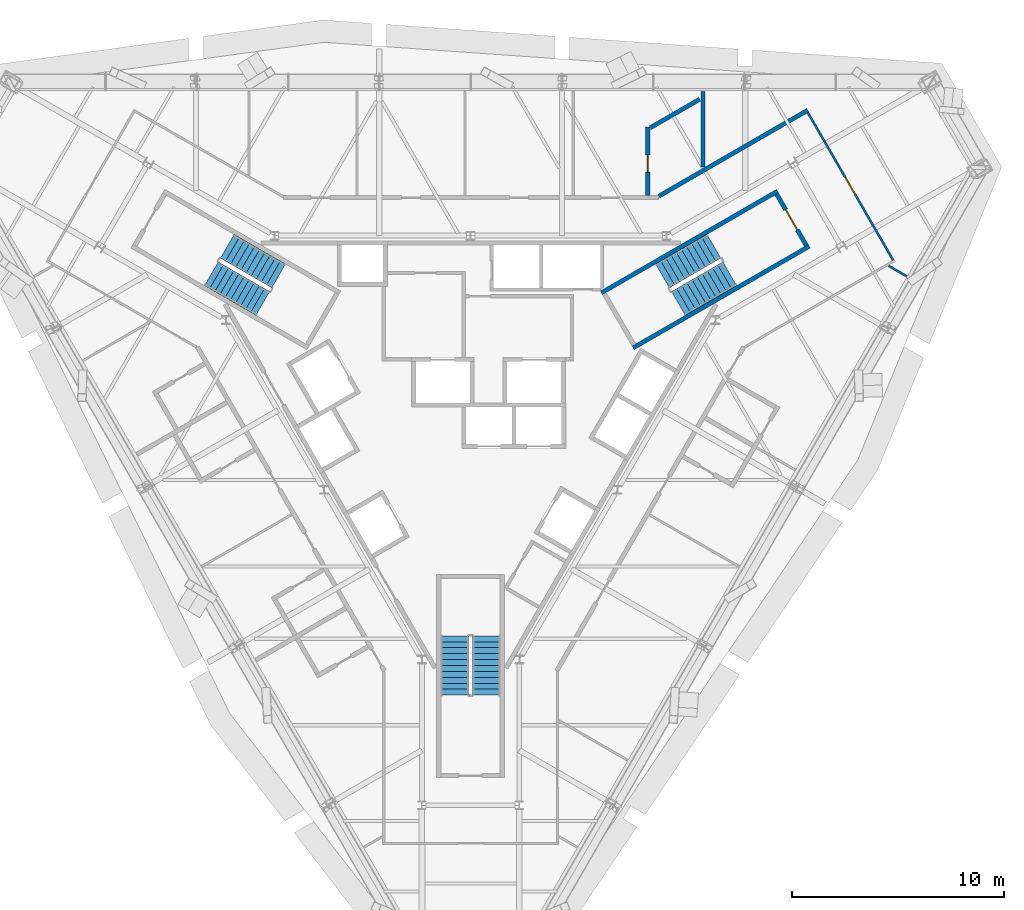
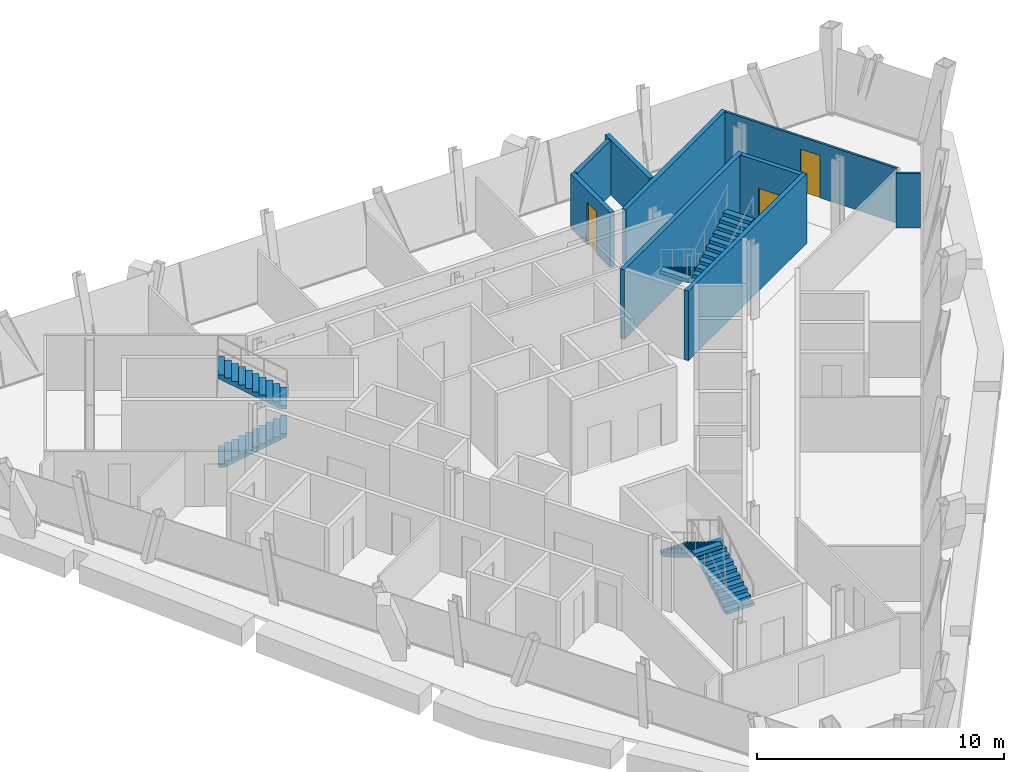
# One storey, part 9 of 10: 9 walls, 6 stair flights, 3 doors, 3 openings, 3 elements without a shape of their own.
"""IFC4 building model written with IfcOpenShell, lengths in metres."""

from ifc_helpers import new_model, si_unit, direction, frame, frame_2d, origin, place, context, subcontext, project, spatial, polyline, rectangle, outline, extrude, material, layer, layer_set, type_object, element, fill, aggregate, save


model = new_model("IFC4")

# Units and contexts
model_context = context("Model", 3, precision=1e-05, world=origin(), true_north=direction((0.0, 1.0)))
body_context = subcontext(model_context, "Body", "Model", "MODEL_VIEW")
ifc_project = project(units=[si_unit("LENGTHUNIT", "METRE"), si_unit("AREAUNIT", "SQUARE_METRE"), si_unit("VOLUMEUNIT", "CUBIC_METRE"), si_unit("PLANEANGLEUNIT", "RADIAN"), si_unit("MASSUNIT", "GRAM", prefix="KILO")], contexts=[model_context])

# Site, building, storey
site_placement = place(None, origin())
site = spatial("IfcSite", under=ifc_project, at=site_placement, CompositionType="ELEMENT")
building_placement = place(site_placement, origin())
building = spatial("IfcBuilding", under=site, at=building_placement, Name="Verrane Prism Tower", CompositionType="ELEMENT")
storey_placement = place(building_placement, frame((0.0, 0.0, 213.800048828125)))
storey = spatial("IfcBuildingStorey", under=building, at=storey_placement, Name="L53", CompositionType="ELEMENT", Elevation=213.800048828125)

# Wall, opening, door
ifc_material_1 = material(Name="Concrete C40/50", Category="concrete")
ifc_layer_1 = layer(ifc_material_1, 0.199951171875)
ifc_layer_set_1 = layer_set([ifc_layer_1], Name="CW-200 stair core wall concrete C40/50 3 h")
wall_type_1 = type_object("IfcWallType", Name="CW-200 stair core wall concrete C40/50 3 h", PredefinedType="PARTITIONING", material=ifc_layer_set_1)
wall_1_placement = place(storey_placement, frame((15.85546875, 7.53759765625, 0.0), z_axis=(0.0, 0.0, 1.0), x_axis=(-0.500049511043, 0.865996816683, 0.0)))
wall_1 = element("IfcWall", 1, at=wall_1_placement, inside=storey, type_object=wall_type_1, Name="Stair 1 enclosure wall", PredefinedType="PARTITIONING", context=body_context, shape_type="SweptSolid", body=[
    extrude(rectangle(XDim=2.800048828125, YDim=0.199951171875, at=frame_2d((1.39990234375, 0.0))), origin(), (0.0, 0.0, 1.0), 3.449951171875),
])
opening_1_placement = place(wall_1_placement, frame((0.849853515625, 0.0, 0.0)))
opening_1 = element("IfcOpeningElement", 2, at=opening_1_placement, cuts=wall_1, Name="Opening D51500", PredefinedType="OPENING", context=body_context, shape_type="SweptSolid", body=[
    extrude(rectangle(XDim=1.10009765625, YDim=2.10009765625, at=frame_2d((0.550048828125, 1.050048828125))), frame((0.0, 0.10986328125, 0.0), z_axis=(0.0, -1.0, 0.0), x_axis=(1.0, 0.0, 0.0)), (0.0, 0.0, 1.0), 0.219970703125),
])
ifc_material_2 = material(Name="Timber veneered door leaf", Category="wood")
door_type_1 = type_object("IfcDoorType", Name="DR-1100x2100 FD90 single leaf stair", OperationType="NOTDEFINED", PredefinedType="DOOR", material=ifc_material_2)
door_1_placement = place(opening_1_placement, origin())
door_1 = element("IfcDoor", 3, at=door_1_placement, inside=storey, type_object=door_type_1, Name="Stair 1 door", OperationType="SINGLE_SWING_LEFT", OverallHeight=2.10009765625, OverallWidth=1.10009765625, PredefinedType="DOOR", context=body_context, shape_type="SweptSolid", body=[
    extrude(rectangle(XDim=1.10009765625, YDim=2.10009765625, at=frame_2d((0.550048828125, 1.050048828125))), frame((0.0, 0.02490234375, 0.0), z_axis=(0.0, -1.0, 0.0), x_axis=(1.0, 0.0, 0.0)), (0.0, 0.0, 1.0), 0.050048828125),
])
fill(opening_1, door_1)

# Walls
for number, where, z_axis, x_axis, name in (
    (4, (6.17822265625, 5.299072265625, 0.0), (0.0, 0.0, 1.0), (0.866019993635, 0.500009370536, 0.0), "Stair 1 enclosure wall"),
    (5, (7.67822265625, 2.700927734375, 0.0), (0.0, 0.0, 1.0), (0.866019993635, 0.500009370536, 0.0), "Stair 1 enclosure wall"),
):
    element("IfcWall", number, at=place(storey_placement, frame(where, z_axis=z_axis, x_axis=x_axis)), inside=storey, type_object=wall_type_1, Name=name, PredefinedType="PARTITIONING", context=body_context, shape_type="SweptSolid", body=[
        extrude(rectangle(XDim=9.599853515625, YDim=0.199951171875, at=frame_2d((4.7998046875, 0.0))), origin(), (0.0, 0.0, 1.0), 3.449951171875),
    ])

# Wall, opening, door
ifc_material_3 = material(Name="Gypsum board partition", Category="other")
ifc_layer_2 = layer(ifc_material_3, 0.10009765625)
ifc_layer_set_2 = layer_set([ifc_layer_2], Name="PW-100 room partition")
wall_type_2 = type_object("IfcWallType", Name="PW-100 room partition", PredefinedType="PARTITIONING", material=ifc_layer_set_2)
wall_2_placement = place(storey_placement, frame((15.927978515625, 13.8115234375, 0.0), z_axis=(0.0, 0.0, 1.0), x_axis=(0.500422653123, -0.865781247337, 0.0)))
wall_2 = element("IfcWall", 6, at=wall_2_placement, inside=storey, type_object=wall_type_2, Name="Room partition 041", PredefinedType="PARTITIONING", context=body_context, shape_type="SweptSolid", body=[
    extrude(rectangle(XDim=8.04736328125, YDim=0.10009765625, at=frame_2d((4.023681640625, 0.0))), origin(), (0.0, 0.0, 1.0), 2.712890625),
])
opening_2_placement = place(wall_2_placement, frame((3.550048828125, 0.0, 0.0)))
opening_2 = element("IfcOpeningElement", 7, at=opening_2_placement, cuts=wall_2, Name="Opening D51007", PredefinedType="OPENING", context=body_context, shape_type="SweptSolid", body=[
    extrude(rectangle(XDim=0.89990234375, YDim=2.10009765625, at=frame_2d((0.449951171875, 1.050048828125))), frame((0.0, 0.06005859375, 0.0), z_axis=(0.0, -1.0, 0.0), x_axis=(1.0, 0.0, 0.0)), (0.0, 0.0, 1.0), 0.1201171875),
])
ifc_material_4 = material(Name="Timber veneered door leaf", Category="wood")
door_type_2 = type_object("IfcDoorType", Name="DR-900x2100 single leaf unit", OperationType="NOTDEFINED", PredefinedType="DOOR", material=ifc_material_4)
door_2_placement = place(opening_2_placement, origin())
door_2 = element("IfcDoor", 8, at=door_2_placement, inside=storey, type_object=door_type_2, Name="Kitchen door", OperationType="SINGLE_SWING_LEFT", OverallHeight=2.10009765625, OverallWidth=0.89990234375, PredefinedType="DOOR", context=body_context, shape_type="SweptSolid", body=[
    extrude(rectangle(XDim=0.89990234375, YDim=2.10009765625, at=frame_2d((0.449951171875, 1.050048828125))), frame((0.0, 0.02490234375, 0.0), z_axis=(0.0, -1.0, 0.0), x_axis=(1.0, 0.0, 0.0)), (0.0, 0.0, 1.0), 0.050048828125),
])
fill(opening_2, door_2)

# Wall
wall_3_placement = place(storey_placement, frame((19.739013671875, 6.57568359375, 0.0), z_axis=(0.0, 0.0, 1.0), x_axis=(0.865855657918, -0.500293893279, 0.0)))
element("IfcWall", 9, at=wall_3_placement, inside=storey, type_object=wall_type_2, Name="Room partition 042", PredefinedType="PARTITIONING", context=body_context, shape_type="SweptSolid", body=[
    extrude(rectangle(XDim=0.99853515625, YDim=0.10009765625, at=frame_2d((0.499267578125, 0.0))), origin(), (0.0, 0.0, 1.0), 2.712890625),
])

# Wall, opening, door
ifc_material_5 = material(Name="Gypsum board partition", Category="other")
ifc_layer_3 = layer(ifc_material_5, 0.199951171875)
ifc_layer_set_3 = layer_set([ifc_layer_3], Name="PW-200 plumbing wall")
wall_type_3 = type_object("IfcWallType", Name="PW-200 plumbing wall", PredefinedType="PARTITIONING", material=ifc_layer_set_3)
wall_4_placement = place(storey_placement, frame((8.37109375, 13.12890625, 0.0), z_axis=(0.0, 0.0, 1.0), x_axis=(0.0, -1.0, 0.0)))
wall_4 = element("IfcWall", 10, at=wall_4_placement, inside=storey, type_object=wall_type_3, Name="Plumbing wall 031", PredefinedType="PARTITIONING", context=body_context, shape_type="SweptSolid", body=[
    extrude(rectangle(XDim=3.22900390625, YDim=0.199951171875, at=frame_2d((1.614501953125, 0.0))), origin(), (0.0, 0.0, 1.0), 2.712890625),
])
opening_3_placement = place(wall_4_placement, frame((1.3291015625, 0.0, 0.0)))
opening_3 = element("IfcOpeningElement", 11, at=opening_3_placement, cuts=wall_4, Name="Opening D51009", PredefinedType="OPENING", context=body_context, shape_type="SweptSolid", body=[
    extrude(rectangle(XDim=0.800048828125, YDim=2.10009765625, at=frame_2d((0.39990234375, 1.050048828125))), frame((0.0, 0.10986328125, 0.0), z_axis=(0.0, -1.0, 0.0), x_axis=(1.0, 0.0, 0.0)), (0.0, 0.0, 1.0), 0.219970703125),
])
ifc_material_6 = material(Name="Timber veneered door leaf", Category="wood")
door_type_3 = type_object("IfcDoorType", Name="DR-800x2100 single leaf bath", OperationType="NOTDEFINED", PredefinedType="DOOR", material=ifc_material_6)
door_3_placement = place(opening_3_placement, origin())
door_3 = element("IfcDoor", 12, at=door_3_placement, inside=storey, type_object=door_type_3, Name="Master Bathroom door", OperationType="SINGLE_SWING_RIGHT", OverallHeight=2.10009765625, OverallWidth=0.800048828125, PredefinedType="DOOR", context=body_context, shape_type="SweptSolid", body=[
    extrude(rectangle(XDim=0.800048828125, YDim=2.10009765625, at=frame_2d((0.39990234375, 1.050048828125))), frame((0.0, 0.02490234375, 0.0), z_axis=(0.0, -1.0, 0.0), x_axis=(1.0, 0.0, 0.0)), (0.0, 0.0, 1.0), 0.050048828125),
])
fill(opening_3, door_3)

# Walls
wall_5_placement = place(storey_placement, frame((8.488037109375, 13.096435546875, 0.0), z_axis=(0.0, 0.0, 1.0), x_axis=(0.866031650062, 0.499989180974, 0.0)))
element("IfcWall", 13, at=wall_5_placement, inside=storey, type_object=wall_type_3, Name="Plumbing wall 032", PredefinedType="PARTITIONING", context=body_context, shape_type="SweptSolid", body=[
    extrude(rectangle(XDim=2.69384765625, YDim=0.199951171875, at=frame_2d((1.346923828125, 0.0))), origin(), (0.0, 0.0, 1.0), 2.712890625),
])
wall_6_placement = place(storey_placement, frame((8.89501953125, 9.867431640625, 0.0), z_axis=(0.0, 0.0, 1.0), x_axis=(0.866079355551, 0.499906541154, 0.0)))
element("IfcWall", 14, at=wall_6_placement, inside=storey, type_object=wall_type_3, Name="Plumbing wall 033", PredefinedType="PARTITIONING", context=body_context, shape_type="SweptSolid", body=[
    extrude(rectangle(XDim=8.11279296875, YDim=0.199951171875, at=frame_2d((4.056396484375, 0.0))), origin(), (0.0, 0.0, 1.0), 2.712890625),
])
wall_7_placement = place(storey_placement, frame((10.970947265625, 11.2392578125, 0.0), z_axis=(0.0, 0.0, 1.0), x_axis=(0.0, 1.0, 0.0)))
element("IfcWall", 15, at=wall_7_placement, inside=storey, type_object=wall_type_3, Name="Plumbing wall 035", PredefinedType="PARTITIONING", context=body_context, shape_type="SweptSolid", body=[
    extrude(rectangle(XDim=3.566650390625, YDim=0.199951171875, at=frame_2d((1.783203125, 0.0))), origin(), (0.0, 0.0, 1.0), 2.712890625),
])

# Stair, stair flights
ifc_material_7 = material(Name="Concrete C40/50", Category="concrete")
stair_type = type_object("IfcStairType", Name="Exit stair 1300 dog-leg precast concrete C40/50", PredefinedType="HALF_TURN_STAIR", material=ifc_material_7)
stair_1_placement = place(storey_placement, origin())
stair_1 = element("IfcStair", 16, at=stair_1_placement, inside=storey, type_object=stair_type, Name="Stair 1 L53", PredefinedType="HALF_TURN_STAIR")
ifc_material_8 = material(Name="Concrete C40/50", Category="concrete")
stair_flight_type = type_object("IfcStairFlightType", Name="Stair flight 1300 precast concrete C40/50", PredefinedType="STRAIGHT", material=ifc_material_8)
stair_flight_1_placement = place(storey_placement, frame((11.489501953125, 7.49951171875, 0.0), z_axis=(0.0, 0.0, 1.0), x_axis=(-0.866025403784, -0.5, 0.0)))
stair_flight_1 = element("IfcStairFlight", 17, at=stair_flight_1_placement, type_object=stair_flight_type, Name="Stair 1 flight 1", NumberOfRisers=11, NumberOfTreads=10, PredefinedType="STRAIGHT", RiserHeight=0.168181818, TreadLength=0.28, context=body_context, shape_type="SweptSolid", body=[
    extrude(outline(polyline([(0.0, 0.0), (0.0, 0.168212890625), (0.280029296875, 0.168212890625), (0.280029296875, 0.33642578125), (0.56005859375, 0.33642578125), (0.56005859375, 0.504638671875), (0.840087890625, 0.504638671875), (0.840087890625, 0.672607421875), (1.1201171875, 0.672607421875), (1.1201171875, 0.8408203125), (1.39990234375, 0.8408203125), (1.39990234375, 1.009033203125), (1.679931640625, 1.009033203125), (1.679931640625, 1.17724609375), (1.9599609375, 1.17724609375), (1.9599609375, 1.345458984375), (2.239990234375, 1.345458984375), (2.239990234375, 1.513671875), (2.52001953125, 1.513671875), (2.52001953125, 1.681884765625), (2.800048828125, 1.681884765625), (2.800048828125, 1.85009765625), (2.800048828125, 1.5068359375), (0.291015625, 0.0), (0.0, 0.0)])), frame((0.0, 0.64990234375, 0.0), z_axis=(0.0, -1.0, 0.0), x_axis=(1.0, 0.0, 0.0)), (0.0, 0.0, 1.0), 1.300048828125),
])
stair_flight_2_placement = place(storey_placement, frame((9.814697265625, 4.800537109375, 1.849853515625), z_axis=(0.0, 0.0, 1.0), x_axis=(0.866025403784, 0.5, 0.0)))
stair_flight_2 = element("IfcStairFlight", 18, at=stair_flight_2_placement, type_object=stair_flight_type, Name="Stair 1 flight 2", NumberOfRisers=11, NumberOfTreads=10, PredefinedType="STRAIGHT", RiserHeight=0.168181818, TreadLength=0.28, context=body_context, shape_type="SweptSolid", body=[
    extrude(outline(polyline([(0.0, 0.0), (0.0, 0.168212890625), (0.280029296875, 0.168212890625), (0.280029296875, 0.33642578125), (0.56005859375, 0.33642578125), (0.56005859375, 0.504638671875), (0.840087890625, 0.504638671875), (0.840087890625, 0.672607421875), (1.1201171875, 0.672607421875), (1.1201171875, 0.8408203125), (1.39990234375, 0.8408203125), (1.39990234375, 1.009033203125), (1.679931640625, 1.009033203125), (1.679931640625, 1.17724609375), (1.9599609375, 1.17724609375), (1.9599609375, 1.345458984375), (2.239990234375, 1.345458984375), (2.239990234375, 1.513671875), (2.52001953125, 1.513671875), (2.52001953125, 1.681884765625), (2.800048828125, 1.681884765625), (2.800048828125, 1.85009765625), (2.800048828125, 1.5068359375), (0.291015625, 0.0), (0.0, 0.0)])), frame((0.0, 0.64990234375, 0.0), z_axis=(0.0, -1.0, 0.0), x_axis=(1.0, 0.0, 0.0)), (0.0, 0.0, 1.0), 1.300048828125),
])
aggregate(stair_1, [stair_flight_1, stair_flight_2])

stair_2_placement = place(storey_placement, origin())
stair_2 = element("IfcStair", 19, at=stair_2_placement, inside=storey, type_object=stair_type, Name="Stair 2 L53", PredefinedType="HALF_TURN_STAIR")
stair_flight_3_placement = place(storey_placement, frame((-12.239501953125, 6.200439453125, 0.0), z_axis=(0.0, 0.0, 1.0), x_axis=(0.866025403784, -0.5, 0.0)))
stair_flight_3 = element("IfcStairFlight", 20, at=stair_flight_3_placement, type_object=stair_flight_type, Name="Stair 2 flight 1", NumberOfRisers=11, NumberOfTreads=10, PredefinedType="STRAIGHT", RiserHeight=0.168181818, TreadLength=0.28, context=body_context, shape_type="SweptSolid", body=[
    extrude(outline(polyline([(0.0, 0.0), (0.0, 0.168212890625), (0.280029296875, 0.168212890625), (0.280029296875, 0.33642578125), (0.56005859375, 0.33642578125), (0.56005859375, 0.504638671875), (0.840087890625, 0.504638671875), (0.840087890625, 0.672607421875), (1.1201171875, 0.672607421875), (1.1201171875, 0.8408203125), (1.39990234375, 0.8408203125), (1.39990234375, 1.009033203125), (1.679931640625, 1.009033203125), (1.679931640625, 1.17724609375), (1.9599609375, 1.17724609375), (1.9599609375, 1.345458984375), (2.239990234375, 1.345458984375), (2.239990234375, 1.513671875), (2.52001953125, 1.513671875), (2.52001953125, 1.681884765625), (2.800048828125, 1.681884765625), (2.800048828125, 1.85009765625), (2.800048828125, 1.5068359375), (0.291015625, 0.0), (0.0, 0.0)])), frame((0.0, 0.64990234375, 0.0), z_axis=(0.0, -1.0, 0.0), x_axis=(1.0, 0.0, 0.0)), (0.0, 0.0, 1.0), 1.300048828125),
])
stair_flight_4_placement = place(storey_placement, frame((-9.064697265625, 6.099609375, 1.849853515625), z_axis=(0.0, 0.0, 1.0), x_axis=(-0.866025403784, 0.5, 0.0)))
stair_flight_4 = element("IfcStairFlight", 21, at=stair_flight_4_placement, type_object=stair_flight_type, Name="Stair 2 flight 2", NumberOfRisers=11, NumberOfTreads=10, PredefinedType="STRAIGHT", RiserHeight=0.168181818, TreadLength=0.28, context=body_context, shape_type="SweptSolid", body=[
    extrude(outline(polyline([(0.0, 0.0), (0.0, 0.168212890625), (0.280029296875, 0.168212890625), (0.280029296875, 0.33642578125), (0.56005859375, 0.33642578125), (0.56005859375, 0.504638671875), (0.840087890625, 0.504638671875), (0.840087890625, 0.672607421875), (1.1201171875, 0.672607421875), (1.1201171875, 0.8408203125), (1.39990234375, 0.8408203125), (1.39990234375, 1.009033203125), (1.679931640625, 1.009033203125), (1.679931640625, 1.17724609375), (1.9599609375, 1.17724609375), (1.9599609375, 1.345458984375), (2.239990234375, 1.345458984375), (2.239990234375, 1.513671875), (2.52001953125, 1.513671875), (2.52001953125, 1.681884765625), (2.800048828125, 1.681884765625), (2.800048828125, 1.85009765625), (2.800048828125, 1.5068359375), (0.291015625, 0.0), (0.0, 0.0)])), frame((0.0, 0.64990234375, 0.0), z_axis=(0.0, -1.0, 0.0), x_axis=(1.0, 0.0, 0.0)), (0.0, 0.0, 1.0), 1.300048828125),
])
aggregate(stair_2, [stair_flight_3, stair_flight_4])

stair_3_placement = place(storey_placement, origin())
stair_3 = element("IfcStair", 22, at=stair_3_placement, inside=storey, type_object=stair_type, Name="Stair 3 L53", PredefinedType="HALF_TURN_STAIR")
stair_flight_5_placement = place(storey_placement, frame((0.75, -13.699951171875, 0.0), z_axis=(0.0, 0.0, 1.0), x_axis=(0.0, 1.0, 0.0)))
stair_flight_5 = element("IfcStairFlight", 23, at=stair_flight_5_placement, type_object=stair_flight_type, Name="Stair 3 flight 1", NumberOfRisers=11, NumberOfTreads=10, PredefinedType="STRAIGHT", RiserHeight=0.168181818, TreadLength=0.28, context=body_context, shape_type="SweptSolid", body=[
    extrude(outline(polyline([(0.0, 0.0), (0.0, 0.168212890625), (0.280029296875, 0.168212890625), (0.280029296875, 0.33642578125), (0.56005859375, 0.33642578125), (0.56005859375, 0.504638671875), (0.840087890625, 0.504638671875), (0.840087890625, 0.672607421875), (1.1201171875, 0.672607421875), (1.1201171875, 0.8408203125), (1.39990234375, 0.8408203125), (1.39990234375, 1.009033203125), (1.679931640625, 1.009033203125), (1.679931640625, 1.17724609375), (1.9599609375, 1.17724609375), (1.9599609375, 1.345458984375), (2.239990234375, 1.345458984375), (2.239990234375, 1.513671875), (2.52001953125, 1.513671875), (2.52001953125, 1.681884765625), (2.800048828125, 1.681884765625), (2.800048828125, 1.85009765625), (2.800048828125, 1.5068359375), (0.291015625, 0.0), (0.0, 0.0)])), frame((0.0, 0.64990234375, 0.0), z_axis=(0.0, -1.0, 0.0), x_axis=(1.0, 0.0, 0.0)), (0.0, 0.0, 1.0), 1.300048828125),
])
stair_flight_6_placement = place(storey_placement, frame((-0.75, -10.89990234375, 1.849853515625), z_axis=(0.0, 0.0, 1.0), x_axis=(0.0, -1.0, 0.0)))
stair_flight_6 = element("IfcStairFlight", 24, at=stair_flight_6_placement, type_object=stair_flight_type, Name="Stair 3 flight 2", NumberOfRisers=11, NumberOfTreads=10, PredefinedType="STRAIGHT", RiserHeight=0.168181818, TreadLength=0.28, context=body_context, shape_type="SweptSolid", body=[
    extrude(outline(polyline([(0.0, 0.0), (0.0, 0.168212890625), (0.280029296875, 0.168212890625), (0.280029296875, 0.33642578125), (0.56005859375, 0.33642578125), (0.56005859375, 0.504638671875), (0.840087890625, 0.504638671875), (0.840087890625, 0.672607421875), (1.1201171875, 0.672607421875), (1.1201171875, 0.8408203125), (1.39990234375, 0.8408203125), (1.39990234375, 1.009033203125), (1.679931640625, 1.009033203125), (1.679931640625, 1.17724609375), (1.9599609375, 1.17724609375), (1.9599609375, 1.345458984375), (2.239990234375, 1.345458984375), (2.239990234375, 1.513671875), (2.52001953125, 1.513671875), (2.52001953125, 1.681884765625), (2.800048828125, 1.681884765625), (2.800048828125, 1.85009765625), (2.800048828125, 1.5068359375), (0.291015625, 0.0), (0.0, 0.0)])), frame((0.0, 0.64990234375, 0.0), z_axis=(0.0, -1.0, 0.0), x_axis=(1.0, 0.0, 0.0)), (0.0, 0.0, 1.0), 1.300048828125),
])
aggregate(stair_3, [stair_flight_5, stair_flight_6])

save(model, "model.ifc")
